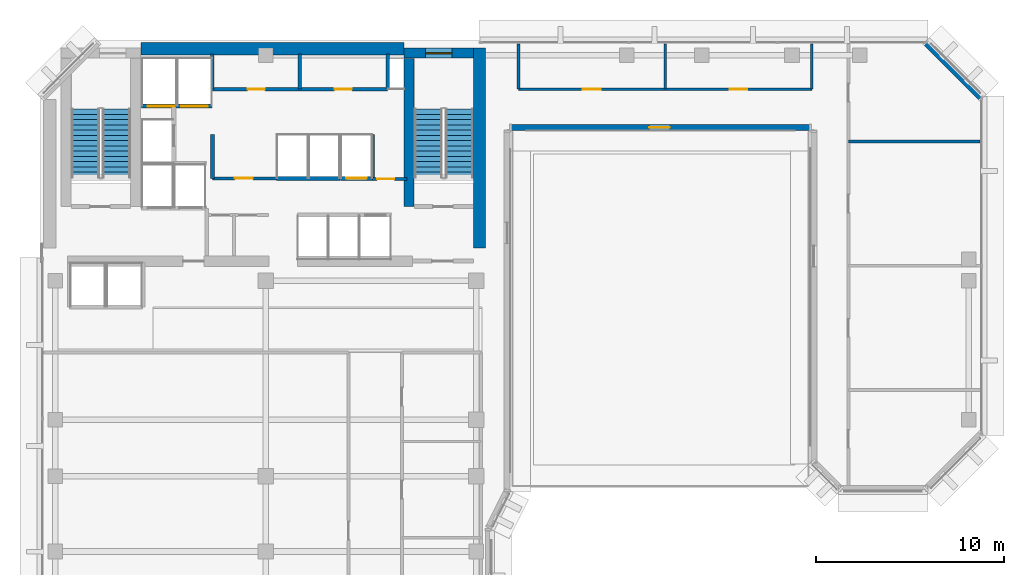
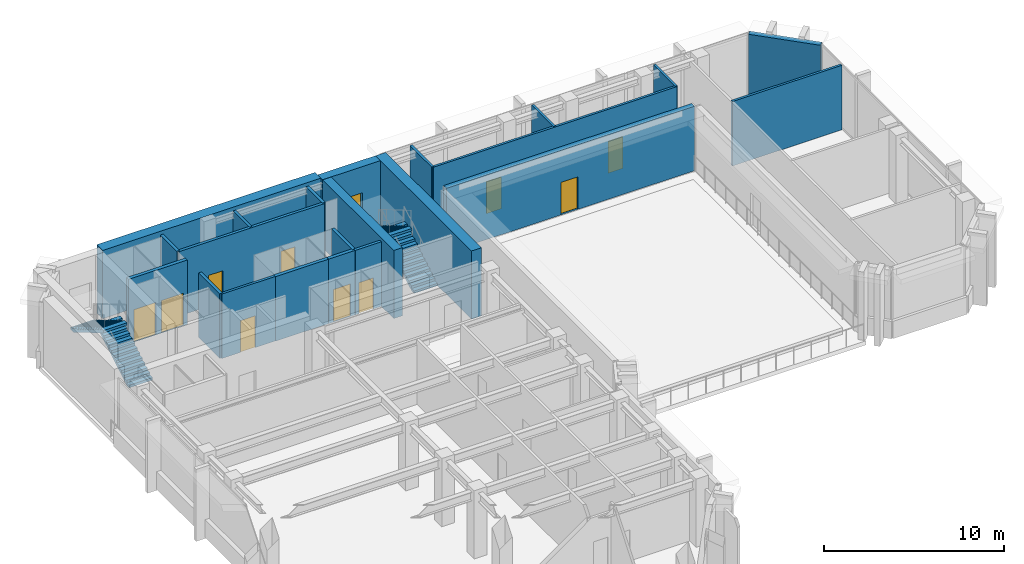
# One storey, part 8 of 12: 22 walls, 10 doors, 4 stair flights, 1 window, 11 openings, 2 elements without a shape of their own.
"""IFC4 building model written with IfcOpenShell, lengths in metres."""

from ifc_helpers import new_model, si_unit, direction, frame, frame_2d, origin, place, context, subcontext, project, spatial, polyline, rectangle, outline, extrude, material, layer, layer_set, type_object, element, fill, aggregate, save


model = new_model("IFC4")

# Units and contexts
model_context = context("Model", 3, precision=1e-05, world=origin(), true_north=direction((0.0, 1.0)))
body_context = subcontext(model_context, "Body", "Model", "MODEL_VIEW")
ifc_project = project(units=[si_unit("LENGTHUNIT", "METRE"), si_unit("AREAUNIT", "SQUARE_METRE"), si_unit("VOLUMEUNIT", "CUBIC_METRE"), si_unit("PLANEANGLEUNIT", "RADIAN"), si_unit("MASSUNIT", "GRAM", prefix="KILO")], contexts=[model_context])

# Site, building, storey
site_placement = place(None, origin())
site = spatial("IfcSite", under=ifc_project, at=site_placement, CompositionType="ELEMENT")
building_placement = place(site_placement, origin())
building = spatial("IfcBuilding", under=site, at=building_placement, Name="Kefirva Bronze Tower", CompositionType="ELEMENT")
storey_placement = place(building_placement, frame((0.0, 0.0, 215.159912109375)))
storey = spatial("IfcBuildingStorey", under=building, at=storey_placement, Name="L52", CompositionType="ELEMENT", Elevation=215.159912109375)

# Wall, openings, doors
ifc_material_1 = material(Name="Gypsum acoustic partition")
ifc_layer_1 = layer(ifc_material_1, 0.14990234375, Name="Gypsum acoustic partition")
ifc_layer_set_1 = layer_set([ifc_layer_1], Name="Gypsum acoustic partition")
wall_type_1 = type_object("IfcWallType", Name="Executive Suite Partition 150mm", PredefinedType="PARTITIONING", material=ifc_layer_set_1)
wall_1_placement = place(storey_placement, frame((25.449951171875, 43.39990234375, 0.0), z_axis=(0.0, 0.0, 1.0), x_axis=(1.0, 0.0, 0.0)))
wall_1 = element("IfcWall", 1, at=wall_1_placement, inside=storey, type_object=wall_type_1, Name="L52 Partition W-L52-PBRGN", PredefinedType="PARTITIONING", context=body_context, shape_type="SweptSolid", body=[
    extrude(rectangle(XDim=15.60009765625, YDim=0.14990234375, at=frame_2d((7.800048828125, 0.0))), origin(), (0.0, 0.0, 1.0), 4.3701171875),
])
opening_1_placement = place(wall_1_placement, frame((3.425048828125, 0.0, 0.0)))
opening_1 = element("IfcOpeningElement", 2, at=opening_1_placement, cuts=wall_1, Name="Opening L52-D-PBN1", PredefinedType="OPENING", context=body_context, shape_type="SweptSolid", body=[
    extrude(rectangle(XDim=0.949951171875, YDim=2.14990234375, at=frame_2d((0.47509765625, 1.074951171875))), frame((0.0, 0.0849609375, 0.0), z_axis=(0.0, -1.0, 0.0), x_axis=(1.0, 0.0, 0.0)), (0.0, 0.0, 1.0), 0.169921875),
])
opening_2_placement = place(wall_1_placement, frame((11.22509765625, 0.0, 0.0)))
opening_2 = element("IfcOpeningElement", 3, at=opening_2_placement, cuts=wall_1, Name="Opening L52-D-PBN2", PredefinedType="OPENING", context=body_context, shape_type="SweptSolid", body=[
    extrude(rectangle(XDim=0.949951171875, YDim=2.14990234375, at=frame_2d((0.47509765625, 1.074951171875))), frame((0.0, 0.0849609375, 0.0), z_axis=(0.0, -1.0, 0.0), x_axis=(1.0, 0.0, 0.0)), (0.0, 0.0, 1.0), 0.169921875),
])
ifc_material_2 = material(Name="Acoustic hardwood oak", Category="wood")
door_type_1 = type_object("IfcDoorType", Name="Office & Meeting Room Door 950x2150", OperationType="NOTDEFINED", PredefinedType="DOOR", material=ifc_material_2)
door_1_placement = place(opening_1_placement, origin())
door_1 = element("IfcDoor", 4, at=door_1_placement, inside=storey, type_object=door_type_1, Name="Door L52-D-PBN1", OperationType="SINGLE_SWING_LEFT", OverallHeight=2.14990234375, OverallWidth=0.949951171875, PredefinedType="DOOR", context=body_context, shape_type="SweptSolid", body=[
    extrude(rectangle(XDim=0.949951171875, YDim=2.14990234375, at=frame_2d((0.47509765625, 1.074951171875))), frame((0.0, 0.02490234375, 0.0), z_axis=(0.0, -1.0, 0.0), x_axis=(1.0, 0.0, 0.0)), (0.0, 0.0, 1.0), 0.050048828125),
])
fill(opening_1, door_1)
door_2_placement = place(opening_2_placement, origin())
door_2 = element("IfcDoor", 5, at=door_2_placement, inside=storey, type_object=door_type_1, Name="Door L52-D-PBN2", OperationType="SINGLE_SWING_RIGHT", OverallHeight=2.14990234375, OverallWidth=0.949951171875, PredefinedType="DOOR", context=body_context, shape_type="SweptSolid", body=[
    extrude(rectangle(XDim=0.949951171875, YDim=2.14990234375, at=frame_2d((0.47509765625, 1.074951171875))), frame((0.0, 0.02490234375, 0.0), z_axis=(0.0, -1.0, 0.0), x_axis=(1.0, 0.0, 0.0)), (0.0, 0.0, 1.0), 0.050048828125),
])
fill(opening_2, door_2)

# Walls
for number, where, z_axis, x_axis, name in (
    (6, (25.449951171875, 43.39990234375, 0.0), (0.0, 0.0, 1.0), (0.0, 1.0, 0.0), "L52 Partition W-L52-PBRGW"),
    (7, (41.050048828125, 43.39990234375, 0.0), (0.0, 0.0, 1.0), (0.0, 1.0, 0.0), "L52 Partition W-L52-PBRGE"),
    (8, (33.25, 43.39990234375, 0.0), (0.0, 0.0, 1.0), (0.0, 1.0, 0.0), "L52 Partition W-L52-PBND1"),
):
    element("IfcWall", number, at=place(storey_placement, frame(where, z_axis=z_axis, x_axis=x_axis)), inside=storey, type_object=wall_type_1, Name=name, PredefinedType="PARTITIONING", context=body_context, shape_type="SweptSolid", body=[
        extrude(rectangle(XDim=2.41015625, YDim=0.14990234375, at=frame_2d((1.205078125, 0.0))), origin(), (0.0, 0.0, 1.0), 4.3701171875),
    ])
wall_2_placement = place(storey_placement, frame((43.0, 40.613525390625, 0.0), z_axis=(0.0, 0.0, 1.0), x_axis=(1.0, 0.0, 0.0)))
element("IfcWall", 9, at=wall_2_placement, inside=storey, type_object=wall_type_1, Name="L52 Partition W-L52-EPVD3", PredefinedType="PARTITIONING", context=body_context, shape_type="SweptSolid", body=[
    extrude(rectangle(XDim=7.010009765625, YDim=0.14990234375, at=frame_2d((3.5048828125, 0.0))), origin(), (0.0, 0.0, 1.0), 4.3701171875),
])

# Wall, openings, doors
ifc_material_3 = material(Name="Gypsum fireboard shaftwall")
ifc_layer_2 = layer(ifc_material_3, 0.219970703125, Name="Gypsum fireboard shaftwall")
ifc_layer_set_2 = layer_set([ifc_layer_2], Name="Gypsum fireboard shaftwall")
wall_type_2 = type_object("IfcWallType", Name="Fire-Rated Shaft Enclosure Wall 220mm", PredefinedType="PARTITIONING", material=ifc_layer_set_2)
wall_3_placement = place(storey_placement, frame((5.3798828125, 42.5, 0.0), z_axis=(0.0, 0.0, 1.0), x_axis=(1.0, 0.0, 0.0)))
wall_3 = element("IfcWall", 10, at=wall_3_placement, inside=storey, type_object=wall_type_2, Name="L52 Partition W-L52-SVS", PredefinedType="PARTITIONING", context=body_context, shape_type="SweptSolid", body=[
    extrude(rectangle(XDim=3.77001953125, YDim=0.219970703125, at=frame_2d((1.885009765625, 0.0))), origin(), (0.0, 0.0, 1.0), 4.3701171875),
])
opening_3_placement = place(wall_3_placement, frame((1.75, 0.0, 0.0), z_axis=(0.0, 0.0, 1.0), x_axis=(-1.0, 0.0, 0.0)))
opening_3 = element("IfcOpeningElement", 11, at=opening_3_placement, cuts=wall_3, Name="Opening L52-LD-SV1", PredefinedType="OPENING", context=body_context, shape_type="SweptSolid", body=[
    extrude(rectangle(XDim=1.39990234375, YDim=2.199951171875, at=frame_2d((0.699951171875, 1.10009765625))), frame((0.0, 0.1201171875, 0.0), z_axis=(0.0, -1.0, 0.0), x_axis=(1.0, 0.0, 0.0)), (0.0, 0.0, 1.0), 0.239990234375),
])
opening_4_placement = place(wall_3_placement, frame((3.52978515625, 0.0, 0.0), z_axis=(0.0, 0.0, 1.0), x_axis=(-1.0, 0.0, 0.0)))
opening_4 = element("IfcOpeningElement", 12, at=opening_4_placement, cuts=wall_3, Name="Opening L52-LD-SV2", PredefinedType="OPENING", context=body_context, shape_type="SweptSolid", body=[
    extrude(rectangle(XDim=1.39990234375, YDim=2.199951171875, at=frame_2d((0.699951171875, 1.10009765625))), frame((0.0, 0.1201171875, 0.0), z_axis=(0.0, -1.0, 0.0), x_axis=(1.0, 0.0, 0.0)), (0.0, 0.0, 1.0), 0.239990234375),
])
ifc_material_4 = material(Name="Stainless steel 316", Category="steel")
door_type_2 = type_object("IfcDoorType", Name="Goods Lift Bi-Parting Sliding Door 1400x2200", OperationType="SLIDING_TO_LEFT", PredefinedType="DOOR", material=ifc_material_4)
door_3_placement = place(opening_3_placement, origin())
door_3 = element("IfcDoor", 13, at=door_3_placement, inside=storey, type_object=door_type_2, Name="Door L52-LD-SV1", OperationType="SLIDING_TO_LEFT", OverallHeight=2.199951171875, OverallWidth=1.39990234375, PredefinedType="DOOR", context=body_context, shape_type="SweptSolid", body=[
    extrude(rectangle(XDim=1.39990234375, YDim=2.199951171875, at=frame_2d((0.699951171875, 1.10009765625))), frame((0.0, 0.02490234375, 0.0), z_axis=(0.0, -1.0, 0.0), x_axis=(1.0, 0.0, 0.0)), (0.0, 0.0, 1.0), 0.050048828125),
])
fill(opening_3, door_3)
door_4_placement = place(opening_4_placement, origin())
door_4 = element("IfcDoor", 14, at=door_4_placement, inside=storey, type_object=door_type_2, Name="Door L52-LD-SV2", OperationType="SLIDING_TO_LEFT", OverallHeight=2.199951171875, OverallWidth=1.39990234375, PredefinedType="DOOR", context=body_context, shape_type="SweptSolid", body=[
    extrude(rectangle(XDim=1.39990234375, YDim=2.199951171875, at=frame_2d((0.699951171875, 1.10009765625))), frame((0.0, 0.02490234375, 0.0), z_axis=(0.0, -1.0, 0.0), x_axis=(1.0, 0.0, 0.0)), (0.0, 0.0, 1.0), 0.050048828125),
])
fill(opening_4, door_4)

# Walls
for number, where, z_axis, x_axis, name in (
    (15, (9.159912109375, 38.64990234375, 0.0), (0.0, 0.0, 1.0), (0.0, 1.0, 0.0), "L52 Partition W-L52-LP3W"),
    (16, (17.679931640625, 38.64990234375, 0.0), (0.0, 0.0, 1.0), (0.0, 1.0, 0.0), "L52 Partition W-L52-HP2E"),
):
    element("IfcWall", number, at=place(storey_placement, frame(where, z_axis=z_axis, x_axis=x_axis)), inside=storey, type_object=wall_type_2, Name=name, PredefinedType="PARTITIONING", context=body_context, shape_type="SweptSolid", body=[
        extrude(rectangle(XDim=2.35009765625, YDim=0.199951171875, at=frame_2d((1.175048828125, 0.0))), origin(), (0.0, 0.0, 1.0), 4.3701171875),
    ])
wall_4_placement = place(storey_placement, frame((12.580078125, 38.64990234375, 0.0), z_axis=(0.0, 0.0, 1.0), x_axis=(1.0, 0.0, 0.0)))
element("IfcWall", 17, at=wall_4_placement, inside=storey, type_object=wall_type_2, Name="L52 Partition W-L52-MPN", PredefinedType="PARTITIONING", context=body_context, shape_type="SweptSolid", body=[
    extrude(rectangle(XDim=3.3798828125, YDim=0.219970703125, at=frame_2d((1.68994140625, 0.0))), origin(), (0.0, 0.0, 1.0), 4.3701171875),
])

# Wall, opening, door
wall_5_placement = place(storey_placement, frame((15.97998046875, 38.64990234375, 0.0), z_axis=(0.0, 0.0, 1.0), x_axis=(1.0, 0.0, 0.0)))
wall_5 = element("IfcWall", 18, at=wall_5_placement, inside=storey, type_object=wall_type_2, Name="L52 Partition W-L52-HPN", PredefinedType="PARTITIONING", context=body_context, shape_type="SweptSolid", body=[
    extrude(rectangle(XDim=1.719970703125, YDim=0.219970703125, at=frame_2d((0.85986328125, 0.0))), origin(), (0.0, 0.0, 1.0), 4.3701171875),
])
opening_5_placement = place(wall_5_placement, frame((0.300048828125, 0.0, 0.0)))
opening_5 = element("IfcOpeningElement", 19, at=opening_5_placement, cuts=wall_5, Name="Opening L52-LD-HP2", PredefinedType="OPENING", context=body_context, shape_type="SweptSolid", body=[
    extrude(rectangle(XDim=1.10009765625, YDim=2.199951171875, at=frame_2d((0.550048828125, 1.10009765625))), frame((0.0, 0.1201171875, 0.0), z_axis=(0.0, -1.0, 0.0), x_axis=(1.0, 0.0, 0.0)), (0.0, 0.0, 1.0), 0.239990234375),
])
door_type_3 = type_object("IfcDoorType", Name="Passenger Lift Sliding Landing Door 1100x2200", OperationType="SLIDING_TO_LEFT", PredefinedType="DOOR", material=ifc_material_4)
door_5_placement = place(opening_5_placement, origin())
door_5 = element("IfcDoor", 20, at=door_5_placement, inside=storey, type_object=door_type_3, Name="Door L52-LD-HP2", OperationType="SLIDING_TO_LEFT", OverallHeight=2.199951171875, OverallWidth=1.10009765625, PredefinedType="DOOR", context=body_context, shape_type="SweptSolid", body=[
    extrude(rectangle(XDim=1.10009765625, YDim=2.199951171875, at=frame_2d((0.550048828125, 1.10009765625))), frame((0.0, 0.02490234375, 0.0), z_axis=(0.0, -1.0, 0.0), x_axis=(1.0, 0.0, 0.0)), (0.0, 0.0, 1.0), 0.050048828125),
])
fill(opening_5, door_5)

ifc_material_5 = material(Name="Gypsum fireboard barrier")
ifc_layer_3 = layer(ifc_material_5, 0.199951171875, Name="Gypsum fireboard barrier")
ifc_layer_set_3 = layer_set([ifc_layer_3], Name="Gypsum fireboard barrier")
wall_type_3 = type_object("IfcWallType", Name="Firefighting Lobby Barrier Wall 200mm", PredefinedType="PARTITIONING", material=ifc_layer_set_3)
wall_6_placement = place(storey_placement, frame((17.679931640625, 38.6201171875, 0.0), z_axis=(0.0, 0.0, 1.0), x_axis=(1.0, 0.0, 0.0)))
wall_6 = element("IfcWall", 21, at=wall_6_placement, inside=storey, type_object=wall_type_3, Name="L52 Partition W-L52-CPASS", PredefinedType="PARTITIONING", context=body_context, shape_type="SweptSolid", body=[
    extrude(rectangle(XDim=1.840087890625, YDim=0.179931640625, at=frame_2d((0.919921875, 0.0))), origin(), (0.0, 0.0, 1.0), 4.3701171875),
])
opening_6_placement = place(wall_6_placement, frame((0.239990234375, 0.0, 0.0)))
opening_6 = element("IfcOpeningElement", 22, at=opening_6_placement, cuts=wall_6, Name="Opening L52-D-CPAS", PredefinedType="OPENING", context=body_context, shape_type="SweptSolid", body=[
    extrude(rectangle(XDim=0.919921875, YDim=2.10009765625, at=frame_2d((0.4599609375, 1.050048828125))), frame((0.0, 0.10009765625, 0.0), z_axis=(0.0, -1.0, 0.0), x_axis=(1.0, 0.0, 0.0)), (0.0, 0.0, 1.0), 0.199951171875),
])
ifc_material_6 = material(Name="Moisture-resistant timber", Category="wood")
door_type_4 = type_object("IfcDoorType", Name="Accessible Sanitary & WC Door 920x2100", OperationType="NOTDEFINED", PredefinedType="DOOR", material=ifc_material_6)
door_6_placement = place(opening_6_placement, origin())
door_6 = element("IfcDoor", 23, at=door_6_placement, inside=storey, type_object=door_type_4, Name="Door L52-D-CPAS", OperationType="SINGLE_SWING_RIGHT", OverallHeight=2.10009765625, OverallWidth=0.919921875, PredefinedType="DOOR", context=body_context, shape_type="SweptSolid", body=[
    extrude(rectangle(XDim=0.919921875, YDim=2.10009765625, at=frame_2d((0.4599609375, 1.050048828125))), frame((0.0, 0.02490234375, 0.0), z_axis=(0.0, -1.0, 0.0), x_axis=(1.0, 0.0, 0.0)), (0.0, 0.0, 1.0), 0.050048828125),
])
fill(opening_6, door_6)

ifc_material_7 = material(Name="Precast concrete C40/50", Category="concrete")
ifc_layer_4 = layer(ifc_material_7, 0.320068359375, Name="Precast concrete C40/50")
ifc_layer_set_4 = layer_set([ifc_layer_4], Name="Precast concrete C40/50")
wall_type_4 = type_object("IfcWallType", Name="Precast Insulated Exterior Wall 320mm", PredefinedType="SOLIDWALL", material=ifc_layer_set_4)
wall_7_placement = place(storey_placement, frame((25.054931640625, 41.360107421875, 0.0), z_axis=(0.0, 0.0, 1.0), x_axis=(1.0, 0.0, 0.0)))
wall_7 = element("IfcWall", 24, at=wall_7_placement, inside=storey, type_object=wall_type_4, Name="L52 Exterior Facade Wall 5", PredefinedType="SOLIDWALL", context=body_context, shape_type="SweptSolid", body=[
    extrude(rectangle(XDim=15.89013671875, YDim=0.320068359375, at=frame_2d((7.945068359375, 0.0))), origin(), (0.0, 0.0, 1.0), 4.3701171875),
])
opening_7_placement = place(wall_7_placement, frame((8.445068359375, 0.0, 0.0), z_axis=(0.0, 0.0, 1.0), x_axis=(-1.0, 0.0, 0.0)))
opening_7 = element("IfcOpeningElement", 25, at=opening_7_placement, cuts=wall_7, Name="Opening D-TR1", PredefinedType="OPENING", context=body_context, shape_type="SweptSolid", body=[
    extrude(rectangle(XDim=1.10009765625, YDim=2.199951171875, at=frame_2d((0.550048828125, 1.10009765625))), frame((0.0, 0.169921875, 0.0), z_axis=(0.0, -1.0, 0.0), x_axis=(1.0, 0.0, 0.0)), (0.0, 0.0, 1.0), 0.340087890625),
])
ifc_material_8 = material(Name="Bronze anodised aluminium", Category="aluminium")
door_type_5 = type_object("IfcDoorType", Name="Exterior Sky-Terrace Glazed Door 1100x2200", OperationType="NOTDEFINED", PredefinedType="DOOR", material=ifc_material_8)
door_7_placement = place(opening_7_placement, origin())
door_7 = element("IfcDoor", 26, at=door_7_placement, inside=storey, type_object=door_type_5, Name="L52 Sky-Garden Terrace Access Door", OperationType="SINGLE_SWING_LEFT", OverallHeight=2.199951171875, OverallWidth=1.10009765625, PredefinedType="DOOR", context=body_context, shape_type="SweptSolid", body=[
    extrude(rectangle(XDim=1.10009765625, YDim=2.199951171875, at=frame_2d((0.550048828125, 1.10009765625))), frame((0.0, 0.02490234375, 0.0), z_axis=(0.0, -1.0, 0.0), x_axis=(1.0, 0.0, 0.0)), (0.0, 0.0, 1.0), 0.050048828125),
])
fill(opening_7, door_7)

# Wall
wall_8_placement = place(storey_placement, frame((50.048095703125, 42.92578125, 0.0), z_axis=(0.0, 0.0, 1.0), x_axis=(-0.707136318428, 0.707077242712, 0.0)))
element("IfcWall", 27, at=wall_8_placement, inside=storey, type_object=wall_type_4, Name="L52 Exterior Facade Wall 10", PredefinedType="SOLIDWALL", context=body_context, shape_type="SweptSolid", body=[
    extrude(rectangle(XDim=4.132568359375, YDim=0.320068359375, at=frame_2d((2.06640625, 0.0))), origin(), (0.0, 0.0, 1.0), 4.3701171875),
])

# Wall, opening, door
ifc_layer_5 = layer(ifc_material_1, 0.159912109375, Name="Gypsum acoustic partition")
ifc_layer_set_5 = layer_set([ifc_layer_5], Name="Gypsum acoustic partition")
wall_type_5 = type_object("IfcWallType", Name="Protected Corridor Partition 160mm", PredefinedType="PARTITIONING", material=ifc_layer_set_5)
wall_9_placement = place(storey_placement, frame((9.159912109375, 38.64990234375, 0.0), z_axis=(0.0, 0.0, 1.0), x_axis=(1.0, 0.0, 0.0)))
wall_9 = element("IfcWall", 28, at=wall_9_placement, inside=storey, type_object=wall_type_5, Name="L52 Partition W-L52-RECLP2", PredefinedType="PARTITIONING", context=body_context, shape_type="SweptSolid", body=[
    extrude(rectangle(XDim=3.420166015625, YDim=0.159912109375, at=frame_2d((1.7099609375, 0.0))), origin(), (0.0, 0.0, 1.0), 4.3701171875),
])
opening_8_placement = place(wall_9_placement, frame((2.14990234375, 0.0, 0.0), z_axis=(0.0, 0.0, 1.0), x_axis=(-1.0, 0.0, 0.0)))
opening_8 = element("IfcOpeningElement", 29, at=opening_8_placement, cuts=wall_9, Name="Opening L52-D-RECLP2", PredefinedType="OPENING", context=body_context, shape_type="SweptSolid", body=[
    extrude(rectangle(XDim=0.949951171875, YDim=2.14990234375, at=frame_2d((0.47509765625, 1.074951171875))), frame((0.0, 0.08984375, 0.0), z_axis=(0.0, -1.0, 0.0), x_axis=(1.0, 0.0, 0.0)), (0.0, 0.0, 1.0), 0.179931640625),
])
door_8_placement = place(opening_8_placement, origin())
door_8 = element("IfcDoor", 30, at=door_8_placement, inside=storey, type_object=door_type_1, Name="Door L52-D-RECLP2", OperationType="SINGLE_SWING_LEFT", OverallHeight=2.14990234375, OverallWidth=0.949951171875, PredefinedType="DOOR", context=body_context, shape_type="SweptSolid", body=[
    extrude(rectangle(XDim=0.949951171875, YDim=2.14990234375, at=frame_2d((0.47509765625, 1.074951171875))), frame((0.0, 0.02490234375, 0.0), z_axis=(0.0, -1.0, 0.0), x_axis=(1.0, 0.0, 0.0)), (0.0, 0.0, 1.0), 0.050048828125),
])
fill(opening_8, door_8)

# Wall, opening, window
ifc_material_9 = material(Name="Concrete C50/60", Category="concrete")
ifc_layer_6 = layer(ifc_material_9, 0.550048828125, Name="Concrete C50/60")
ifc_layer_set_6 = layer_set([ifc_layer_6], Name="Concrete C50/60")
wall_type_6 = type_object("IfcWallType", Name="RC Rear Core Exterior Wall 550mm", PredefinedType="SHEAR", material=ifc_layer_set_6)
wall_10_placement = place(storey_placement, frame((19.35009765625, 45.320068359375, 0.0), z_axis=(0.0, 0.0, 1.0), x_axis=(1.0, 0.0, 0.0)))
wall_10 = element("IfcWall", 31, at=wall_10_placement, inside=storey, type_object=wall_type_6, Name="L52 Stair 2 North Shear Wall", PredefinedType="SHEAR", context=body_context, shape_type="SweptSolid", body=[
    extrude(rectangle(XDim=3.68994140625, YDim=0.550048828125, at=frame_2d((1.844970703125, 0.0))), origin(), (0.0, 0.0, 1.0), 4.6201171875),
])
opening_9_placement = place(wall_10_placement, frame((1.14990234375, 0.0, 1.050048828125)))
opening_9 = element("IfcOpeningElement", 32, at=opening_9_placement, cuts=wall_10, Name="Opening WN-03", PredefinedType="OPENING", context=body_context, shape_type="SweptSolid", body=[
    extrude(rectangle(XDim=1.39990234375, YDim=1.800048828125, at=frame_2d((0.699951171875, 0.89990234375))), frame((0.0, 0.28515625, 0.0), z_axis=(0.0, -1.0, 0.0), x_axis=(1.0, 0.0, 0.0)), (0.0, 0.0, 1.0), 0.570068359375),
])
ifc_material_10 = material(Name="Laminated low-E double glazing", Category="glass")
window_type = type_object("IfcWindowType", Name="Rear-Core Stair Daylight Window 1400x1800", PartitioningType="SINGLE_PANEL", PredefinedType="WINDOW", material=ifc_material_10)
window_placement = place(opening_9_placement, origin())
window = element("IfcWindow", 33, at=window_placement, inside=storey, type_object=window_type, Name="L52 Stair 2 Daylight Window", OverallHeight=1.800048828125, OverallWidth=1.39990234375, PartitioningType="SINGLE_PANEL", PredefinedType="WINDOW", context=body_context, shape_type="SweptSolid", body=[
    extrude(rectangle(XDim=1.39990234375, YDim=1.800048828125, at=frame_2d((0.699951171875, 0.89990234375))), frame((0.0, 0.030029296875, 0.0), z_axis=(0.0, -1.0, 0.0), x_axis=(1.0, 0.0, 0.0)), (0.0, 0.0, 1.0), 0.06005859375),
])
fill(opening_9, window)

# Walls
ifc_layer_7 = layer(ifc_material_9, 0.64990234375, Name="Concrete C50/60")
ifc_layer_set_7 = layer_set([ifc_layer_7], Name="Concrete C50/60")
wall_type_7 = type_object("IfcWallType", Name="RC Rear Core Exterior Wall 650mm", PredefinedType="SHEAR", material=ifc_layer_set_7)
wall_11_placement = place(storey_placement, frame((5.360107421875, 45.550048828125, 0.0), z_axis=(0.0, 0.0, 1.0), x_axis=(1.0, 0.0, 0.0)))
element("IfcWall", 34, at=wall_11_placement, inside=storey, type_object=wall_type_7, Name="L52 Rear Core North Shear Wall", PredefinedType="SHEAR", context=body_context, shape_type="SweptSolid", body=[
    extrude(rectangle(XDim=13.97998046875, YDim=0.64990234375, at=frame_2d((6.989990234375, 0.0))), origin(), (0.0, 0.0, 1.0), 4.6201171875),
])
ifc_layer_8 = layer(ifc_material_9, 0.550048828125, Name="Concrete C50/60")
ifc_layer_set_8 = layer_set([ifc_layer_8], Name="Concrete C50/60")
wall_type_8 = type_object("IfcWallType", Name="RC Rear Core Interior Wall 550mm", PredefinedType="SHEAR", material=ifc_layer_set_8)
wall_12_placement = place(storey_placement, frame((19.6201171875, 37.14990234375, 0.0), z_axis=(0.0, 0.0, 1.0), x_axis=(0.0, 1.0, 0.0)))
element("IfcWall", 35, at=wall_12_placement, inside=storey, type_object=wall_type_8, Name="L52 Stair 2 West Shear Wall", PredefinedType="SHEAR", context=body_context, shape_type="SweptSolid", body=[
    extrude(rectangle(XDim=7.89013671875, YDim=0.550048828125, at=frame_2d((3.945068359375, 0.0))), origin(), (0.0, 0.0, 1.0), 4.6201171875),
])
ifc_layer_9 = layer(ifc_material_9, 0.64990234375, Name="Concrete C50/60")
ifc_layer_set_9 = layer_set([ifc_layer_9], Name="Concrete C50/60")
wall_type_9 = type_object("IfcWallType", Name="RC Rear Core Interior Wall 650mm", PredefinedType="SHEAR", material=ifc_layer_set_9)
wall_13_placement = place(storey_placement, frame((23.375, 34.949951171875, 0.0), z_axis=(0.0, 0.0, 1.0), x_axis=(0.0, 1.0, 0.0)))
element("IfcWall", 36, at=wall_13_placement, inside=storey, type_object=wall_type_9, Name="L52 Rear Core East Shear Wall", PredefinedType="SHEAR", context=body_context, shape_type="SweptSolid", body=[
    extrude(rectangle(XDim=10.64013671875, YDim=0.64990234375, at=frame_2d((5.320068359375, 0.0))), origin(), (0.0, 0.0, 1.0), 4.6201171875),
])

# Wall, openings, doors
ifc_material_11 = material(Name="Moisture-resistant partition")
ifc_layer_10 = layer(ifc_material_11, 0.179931640625, Name="Moisture-resistant partition")
ifc_layer_set_10 = layer_set([ifc_layer_10], Name="Moisture-resistant partition")
wall_type_10 = type_object("IfcWallType", Name="Sanitary Plumbing Chase Wall 180mm", PredefinedType="PLUMBINGWALL", material=ifc_layer_set_10)
wall_14_placement = place(storey_placement, frame((9.14990234375, 43.39990234375, 0.0), z_axis=(0.0, 0.0, 1.0), x_axis=(1.0, 0.0, 0.0)))
wall_14 = element("IfcWall", 37, at=wall_14_placement, inside=storey, type_object=wall_type_10, Name="L52 Partition W-L52-SVCS", PredefinedType="PLUMBINGWALL", context=body_context, shape_type="SweptSolid", body=[
    extrude(rectangle(XDim=9.330078125, YDim=0.179931640625, at=frame_2d((4.6650390625, 0.0))), origin(), (0.0, 0.0, 1.0), 4.3701171875),
])
opening_10_placement = place(wall_14_placement, frame((1.8798828125, 0.0, 0.0)))
opening_10 = element("IfcOpeningElement", 38, at=opening_10_placement, cuts=wall_14, Name="Opening L52-D-CSVC1", PredefinedType="OPENING", context=body_context, shape_type="SweptSolid", body=[
    extrude(rectangle(XDim=0.919921875, YDim=2.10009765625, at=frame_2d((0.4599609375, 1.050048828125))), frame((0.0, 0.10009765625, 0.0), z_axis=(0.0, -1.0, 0.0), x_axis=(1.0, 0.0, 0.0)), (0.0, 0.0, 1.0), 0.199951171875),
])
opening_11_placement = place(wall_14_placement, frame((6.514892578125, 0.0, 0.0)))
opening_11 = element("IfcOpeningElement", 39, at=opening_11_placement, cuts=wall_14, Name="Opening L52-D-CSVC2", PredefinedType="OPENING", context=body_context, shape_type="SweptSolid", body=[
    extrude(rectangle(XDim=0.919921875, YDim=2.10009765625, at=frame_2d((0.4599609375, 1.050048828125))), frame((0.0, 0.10009765625, 0.0), z_axis=(0.0, -1.0, 0.0), x_axis=(1.0, 0.0, 0.0)), (0.0, 0.0, 1.0), 0.199951171875),
])
door_9_placement = place(opening_10_placement, origin())
door_9 = element("IfcDoor", 40, at=door_9_placement, inside=storey, type_object=door_type_4, Name="Door L52-D-CSVC1", OperationType="SINGLE_SWING_RIGHT", OverallHeight=2.10009765625, OverallWidth=0.919921875, PredefinedType="DOOR", context=body_context, shape_type="SweptSolid", body=[
    extrude(rectangle(XDim=0.919921875, YDim=2.10009765625, at=frame_2d((0.4599609375, 1.050048828125))), frame((0.0, 0.02490234375, 0.0), z_axis=(0.0, -1.0, 0.0), x_axis=(1.0, 0.0, 0.0)), (0.0, 0.0, 1.0), 0.050048828125),
])
fill(opening_10, door_9)
door_10_placement = place(opening_11_placement, origin())
door_10 = element("IfcDoor", 41, at=door_10_placement, inside=storey, type_object=door_type_4, Name="Door L52-D-CSVC2", OperationType="SINGLE_SWING_LEFT", OverallHeight=2.10009765625, OverallWidth=0.919921875, PredefinedType="DOOR", context=body_context, shape_type="SweptSolid", body=[
    extrude(rectangle(XDim=0.919921875, YDim=2.10009765625, at=frame_2d((0.4599609375, 1.050048828125))), frame((0.0, 0.02490234375, 0.0), z_axis=(0.0, -1.0, 0.0), x_axis=(1.0, 0.0, 0.0)), (0.0, 0.0, 1.0), 0.050048828125),
])
fill(opening_11, door_10)

# Walls
for number, where, z_axis, x_axis, name in (
    (42, (9.14990234375, 43.39990234375, 0.0), (0.0, 0.0, 1.0), (0.0, 1.0, 0.0), "L52 Partition W-L52-SVCW"),
    (43, (18.47998046875, 43.39990234375, 0.0), (0.0, 0.0, 1.0), (0.0, 1.0, 0.0), "L52 Partition W-L52-SVCE"),
    (44, (13.800048828125, 43.39990234375, 0.0), (0.0, 0.0, 1.0), (0.0, 1.0, 0.0), "L52 Partition W-L52-CSVD-1"),
):
    element("IfcWall", number, at=place(storey_placement, frame(where, z_axis=z_axis, x_axis=x_axis)), inside=storey, type_object=wall_type_10, Name=name, PredefinedType="PLUMBINGWALL", context=body_context, shape_type="SweptSolid", body=[
        extrude(rectangle(XDim=1.880126953125, YDim=0.179931640625, at=frame_2d((0.93994140625, 0.0))), origin(), (0.0, 0.0, 1.0), 4.3701171875),
    ])

# Stair, stair flights
ifc_material_12 = material(Name="Concrete C40/50", Category="concrete")
stair_type = type_object("IfcStairType", Name="RC Dogleg Protected Stair 28R", PredefinedType="HALF_TURN_STAIR", material=ifc_material_12)
stair_1_placement = place(storey_placement, origin())
stair_1 = element("IfcStair", 45, at=stair_1_placement, inside=storey, type_object=stair_type, Name="L52 Protected Exit Stair 1", PredefinedType="HALF_TURN_STAIR")
stair_flight_type = type_object("IfcStairFlightType", Name="RC Straight Stair Flight 28R", PredefinedType="STRAIGHT", material=ifc_material_12)
stair_flight_1_placement = place(storey_placement, frame((4.050048828125, 38.699951171875, 0.0), z_axis=(0.0, 0.0, 1.0), x_axis=(0.0, 1.0, 0.0)))
stair_flight_1 = element("IfcStairFlight", 46, at=stair_flight_1_placement, type_object=stair_flight_type, Name="ST-1 flight 1", NumberOfRisers=14, NumberOfTreads=13, PredefinedType="STRAIGHT", RiserHeight=0.165, TreadLength=0.28, context=body_context, shape_type="SweptSolid", body=[
    extrude(outline(polyline([(0.0, 0.0), (0.0, 0.1650390625), (0.280029296875, 0.1650390625), (0.280029296875, 0.330078125), (0.56005859375, 0.330078125), (0.56005859375, 0.4951171875), (0.840087890625, 0.4951171875), (0.840087890625, 0.659912109375), (1.1201171875, 0.659912109375), (1.1201171875, 0.824951171875), (1.39990234375, 0.824951171875), (1.39990234375, 0.989990234375), (1.679931640625, 0.989990234375), (1.679931640625, 1.155029296875), (1.9599609375, 1.155029296875), (1.9599609375, 1.320068359375), (2.239990234375, 1.320068359375), (2.239990234375, 1.485107421875), (2.52001953125, 1.485107421875), (2.52001953125, 1.64990234375), (2.800048828125, 1.64990234375), (2.800048828125, 1.81494140625), (3.080078125, 1.81494140625), (3.080078125, 1.97998046875), (3.360107421875, 1.97998046875), (3.360107421875, 2.14501953125), (3.639892578125, 2.14501953125), (3.639892578125, 2.31005859375), (3.639892578125, 1.970947265625), (0.295166015625, 0.0), (0.0, 0.0)])), frame((0.0, 0.75, 0.0), z_axis=(0.0, -1.0, 0.0), x_axis=(1.0, 0.0, 0.0)), (0.0, 0.0, 1.0), 1.5),
])
stair_flight_2_placement = place(storey_placement, frame((2.39990234375, 42.340087890625, 2.31005859375), z_axis=(0.0, 0.0, 1.0), x_axis=(0.0, -1.0, 0.0)))
stair_flight_2 = element("IfcStairFlight", 47, at=stair_flight_2_placement, type_object=stair_flight_type, Name="ST-1 flight 2", NumberOfRisers=14, NumberOfTreads=13, PredefinedType="STRAIGHT", RiserHeight=0.165, TreadLength=0.28, context=body_context, shape_type="SweptSolid", body=[
    extrude(outline(polyline([(0.0, 0.0), (0.0, 0.1650390625), (0.280029296875, 0.1650390625), (0.280029296875, 0.330078125), (0.56005859375, 0.330078125), (0.56005859375, 0.4951171875), (0.840087890625, 0.4951171875), (0.840087890625, 0.659912109375), (1.1201171875, 0.659912109375), (1.1201171875, 0.824951171875), (1.39990234375, 0.824951171875), (1.39990234375, 0.989990234375), (1.679931640625, 0.989990234375), (1.679931640625, 1.155029296875), (1.9599609375, 1.155029296875), (1.9599609375, 1.320068359375), (2.239990234375, 1.320068359375), (2.239990234375, 1.485107421875), (2.52001953125, 1.485107421875), (2.52001953125, 1.64990234375), (2.800048828125, 1.64990234375), (2.800048828125, 1.81494140625), (3.080078125, 1.81494140625), (3.080078125, 1.97998046875), (3.360107421875, 1.97998046875), (3.360107421875, 2.14501953125), (3.639892578125, 2.14501953125), (3.639892578125, 2.31005859375), (3.639892578125, 1.970947265625), (0.295166015625, 0.0), (0.0, 0.0)])), frame((0.0, 0.75, 0.0), z_axis=(0.0, -1.0, 0.0), x_axis=(1.0, 0.0, 0.0)), (0.0, 0.0, 1.0), 1.5),
])
aggregate(stair_1, [stair_flight_1, stair_flight_2])

stair_2_placement = place(storey_placement, origin())
stair_2 = element("IfcStair", 48, at=stair_2_placement, inside=storey, type_object=stair_type, Name="L52 Protected Exit Stair 2", PredefinedType="HALF_TURN_STAIR")
stair_flight_3_placement = place(storey_placement, frame((22.300048828125, 38.699951171875, 0.0), z_axis=(0.0, 0.0, 1.0), x_axis=(0.0, 1.0, 0.0)))
stair_flight_3 = element("IfcStairFlight", 49, at=stair_flight_3_placement, type_object=stair_flight_type, Name="ST-2 flight 1", NumberOfRisers=14, NumberOfTreads=13, PredefinedType="STRAIGHT", RiserHeight=0.165, TreadLength=0.28, context=body_context, shape_type="SweptSolid", body=[
    extrude(outline(polyline([(0.0, 0.0), (0.0, 0.1650390625), (0.280029296875, 0.1650390625), (0.280029296875, 0.330078125), (0.56005859375, 0.330078125), (0.56005859375, 0.4951171875), (0.840087890625, 0.4951171875), (0.840087890625, 0.659912109375), (1.1201171875, 0.659912109375), (1.1201171875, 0.824951171875), (1.39990234375, 0.824951171875), (1.39990234375, 0.989990234375), (1.679931640625, 0.989990234375), (1.679931640625, 1.155029296875), (1.9599609375, 1.155029296875), (1.9599609375, 1.320068359375), (2.239990234375, 1.320068359375), (2.239990234375, 1.485107421875), (2.52001953125, 1.485107421875), (2.52001953125, 1.64990234375), (2.800048828125, 1.64990234375), (2.800048828125, 1.81494140625), (3.080078125, 1.81494140625), (3.080078125, 1.97998046875), (3.360107421875, 1.97998046875), (3.360107421875, 2.14501953125), (3.639892578125, 2.14501953125), (3.639892578125, 2.31005859375), (3.639892578125, 1.970947265625), (0.295166015625, 0.0), (0.0, 0.0)])), frame((0.0, 0.75, 0.0), z_axis=(0.0, -1.0, 0.0), x_axis=(1.0, 0.0, 0.0)), (0.0, 0.0, 1.0), 1.5),
])
stair_flight_4_placement = place(storey_placement, frame((20.64990234375, 42.340087890625, 2.31005859375), z_axis=(0.0, 0.0, 1.0), x_axis=(0.0, -1.0, 0.0)))
stair_flight_4 = element("IfcStairFlight", 50, at=stair_flight_4_placement, type_object=stair_flight_type, Name="ST-2 flight 2", NumberOfRisers=14, NumberOfTreads=13, PredefinedType="STRAIGHT", RiserHeight=0.165, TreadLength=0.28, context=body_context, shape_type="SweptSolid", body=[
    extrude(outline(polyline([(0.0, 0.0), (0.0, 0.1650390625), (0.280029296875, 0.1650390625), (0.280029296875, 0.330078125), (0.56005859375, 0.330078125), (0.56005859375, 0.4951171875), (0.840087890625, 0.4951171875), (0.840087890625, 0.659912109375), (1.1201171875, 0.659912109375), (1.1201171875, 0.824951171875), (1.39990234375, 0.824951171875), (1.39990234375, 0.989990234375), (1.679931640625, 0.989990234375), (1.679931640625, 1.155029296875), (1.9599609375, 1.155029296875), (1.9599609375, 1.320068359375), (2.239990234375, 1.320068359375), (2.239990234375, 1.485107421875), (2.52001953125, 1.485107421875), (2.52001953125, 1.64990234375), (2.800048828125, 1.64990234375), (2.800048828125, 1.81494140625), (3.080078125, 1.81494140625), (3.080078125, 1.97998046875), (3.360107421875, 1.97998046875), (3.360107421875, 2.14501953125), (3.639892578125, 2.14501953125), (3.639892578125, 2.31005859375), (3.639892578125, 1.970947265625), (0.295166015625, 0.0), (0.0, 0.0)])), frame((0.0, 0.75, 0.0), z_axis=(0.0, -1.0, 0.0), x_axis=(1.0, 0.0, 0.0)), (0.0, 0.0, 1.0), 1.5),
])
aggregate(stair_2, [stair_flight_3, stair_flight_4])

save(model, "model.ifc")
